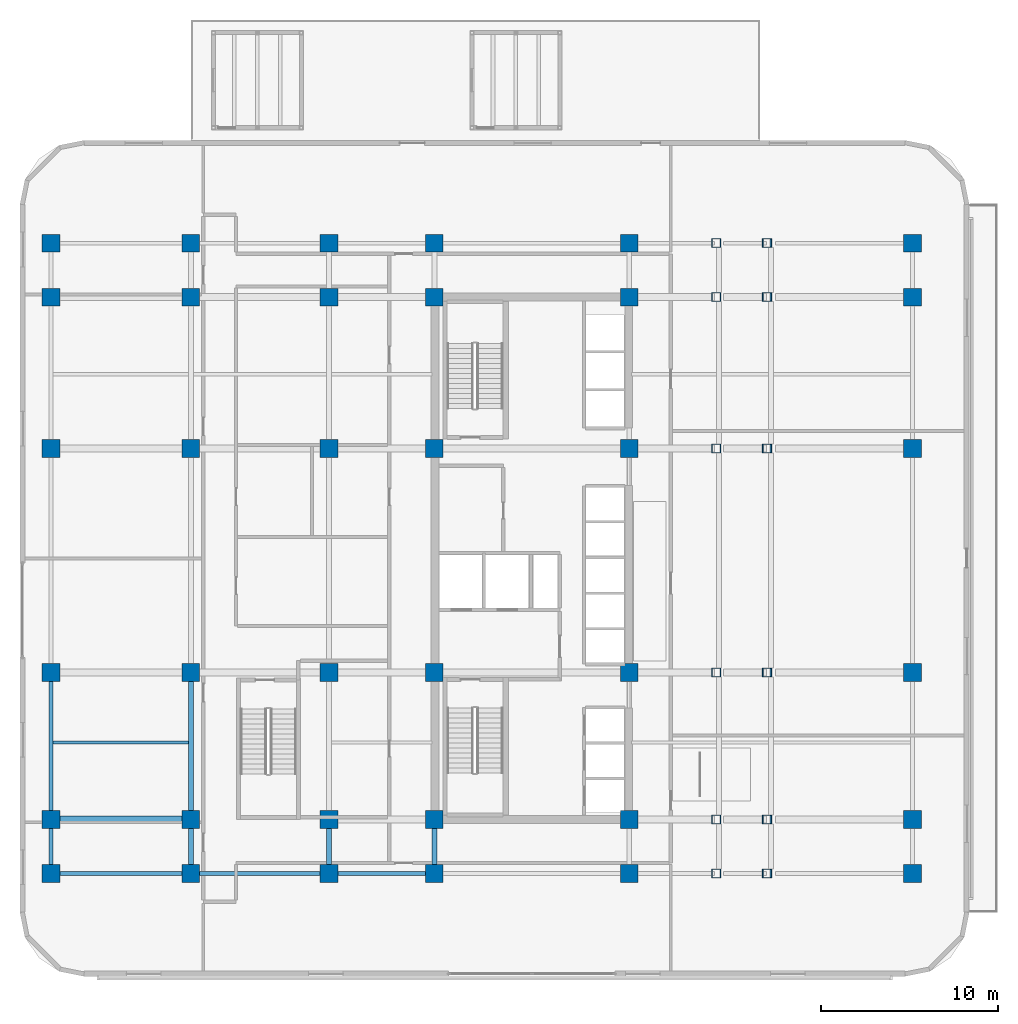
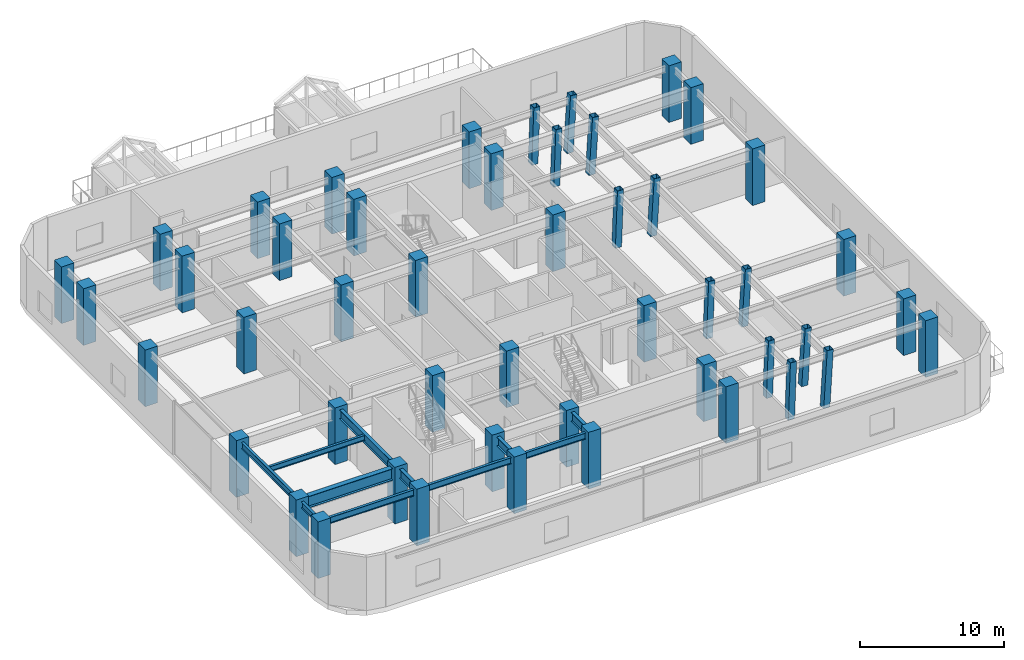
# One storey, part 1 of 18: 48 columns, 11 beams.
"""IFC4 building model written with IfcOpenShell, lengths in metres."""

from ifc_helpers import new_model, si_unit, direction, frame, origin, origin_2d, place, context, subcontext, project, spatial, rectangle, hollow_rectangle, i_section, extrude, material, material_profile, profile_set, type_object, element, save


model = new_model("IFC4")

# Units and contexts
model_context = context("Model", 3, precision=1e-05, world=origin(), true_north=direction((0.0, 1.0)))
body_context = subcontext(model_context, "Body", "Model", "MODEL_VIEW")
ifc_project = project(units=[si_unit("LENGTHUNIT", "METRE"), si_unit("AREAUNIT", "SQUARE_METRE"), si_unit("VOLUMEUNIT", "CUBIC_METRE"), si_unit("PLANEANGLEUNIT", "RADIAN"), si_unit("MASSUNIT", "GRAM", prefix="KILO")], contexts=[model_context])

# Site, building, storey
site_placement = place(None, origin())
site = spatial("IfcSite", under=ifc_project, at=site_placement, CompositionType="ELEMENT")
building_placement = place(site_placement, origin())
building = spatial("IfcBuilding", under=site, at=building_placement, Name="Ochreholt Gables", CompositionType="ELEMENT")
storey_placement = place(building_placement, frame((0.0, 0.0, 4.800048828125)))
storey = spatial("IfcBuildingStorey", under=building, at=storey_placement, Name="L01", CompositionType="ELEMENT", Elevation=4.800048828125)

# Columns
ifc_material_1 = material(Name="Steel CSA G40.21 350W", Category="steel")
ifc_material_profile_1 = material_profile(ifc_material_1, hollow_rectangle(XDim=0.5, YDim=0.5, WallThickness=0.02197265625, at=origin_2d()), Name="HSS500X500X22")
ifc_profile_set_1 = profile_set([ifc_material_profile_1], Name="Steel CSA G40.21 350W")
column_type_1 = type_object("IfcColumnType", Name="COL-HSS500-RAK", PredefinedType="COLUMN", material=ifc_profile_set_1)
for number, where, z_axis, x_axis, name in (
    (1, (40.10400390625, 9.25, 0.0), (0.034971728386, 0.0, 0.99938830202), (0.0, 1.0, 0.0), "L01 Column EMY2"),
    (2, (40.10400390625, 17.550048828125, 0.0), (0.034971728386, 0.0, 0.99938830202), (0.0, 1.0, 0.0), "L01 Column EMY3"),
    (3, (40.10400390625, 30.199951171875, 0.0), (0.034971728386, 0.0, 0.99938830202), (0.0, 1.0, 0.0), "L01 Column EMY4"),
    (4, (40.10400390625, 38.75, 0.0), (0.034971728386, 0.0, 0.99938830202), (0.0, 1.0, 0.0), "L01 Column EMY5"),
):
    element("IfcColumn", number, at=place(storey_placement, frame(where, z_axis=z_axis, x_axis=x_axis)), inside=storey, type_object=column_type_1, Name=name, PredefinedType="COLUMN", context=body_context, shape_type="SweptSolid", body=[
        extrude(hollow_rectangle(XDim=0.5, YDim=0.5, WallThickness=0.02197265625, at=origin_2d()), origin(), (0.0, 0.0, 1.0), 4.802978515625),
    ])
for number, where, z_axis, x_axis, name in (
    (5, (42.935302734375, 9.25, 0.0), (0.057885584411, 0.0, 0.998323223769), (0.0, 1.0, 0.0), "L01 Column EEY2"),
    (6, (42.935302734375, 17.550048828125, 0.0), (0.057885584411, 0.0, 0.998323223769), (0.0, 1.0, 0.0), "L01 Column EEY3"),
    (7, (42.935302734375, 30.199951171875, 0.0), (0.057885584411, 0.0, 0.998323223769), (0.0, 1.0, 0.0), "L01 Column EEY4"),
    (8, (42.935302734375, 38.75, 0.0), (0.057885584411, 0.0, 0.998323223769), (0.0, 1.0, 0.0), "L01 Column EEY5"),
):
    element("IfcColumn", number, at=place(storey_placement, frame(where, z_axis=z_axis, x_axis=x_axis)), inside=storey, type_object=column_type_1, Name=name, PredefinedType="COLUMN", context=body_context, shape_type="SweptSolid", body=[
        extrude(hollow_rectangle(XDim=0.5, YDim=0.5, WallThickness=0.02197265625, at=origin_2d()), origin(), (0.0, 0.0, 1.0), 4.80810546875),
    ])
ifc_material_profile_2 = material_profile(ifc_material_1, hollow_rectangle(XDim=0.5, YDim=0.5, WallThickness=0.02197265625, at=origin_2d()), Name="HSS500X500X22")
ifc_profile_set_2 = profile_set([ifc_material_profile_2], Name="Steel CSA G40.21 350W")
column_type_2 = type_object("IfcColumnType", Name="COL-HSS500-RAKE", PredefinedType="COLUMN", material=ifc_profile_set_2)
for number, where, z_axis, x_axis, name in (
    (9, (40.10400390625, 6.199951171875, 0.0), (0.034971728386, 0.0, 0.99938830202), (0.0, 1.0, 0.0), "L01 Column EMY1"),
    (10, (40.10400390625, 41.800048828125, 0.0), (0.034971728386, 0.0, 0.99938830202), (0.0, 1.0, 0.0), "L01 Column EMY6"),
):
    element("IfcColumn", number, at=place(storey_placement, frame(where, z_axis=z_axis, x_axis=x_axis)), inside=storey, type_object=column_type_2, Name=name, PredefinedType="COLUMN", context=body_context, shape_type="SweptSolid", body=[
        extrude(hollow_rectangle(XDim=0.5, YDim=0.5, WallThickness=0.02197265625, at=origin_2d()), origin(), (0.0, 0.0, 1.0), 4.802978515625),
    ])
for number, where, z_axis, x_axis, name in (
    (11, (42.935302734375, 6.199951171875, 0.0), (0.057885584411, 0.0, 0.998323223769), (0.0, 1.0, 0.0), "L01 Column EEY1"),
    (12, (42.935302734375, 41.800048828125, 0.0), (0.057885584411, 0.0, 0.998323223769), (0.0, 1.0, 0.0), "L01 Column EEY6"),
):
    element("IfcColumn", number, at=place(storey_placement, frame(where, z_axis=z_axis, x_axis=x_axis)), inside=storey, type_object=column_type_2, Name=name, PredefinedType="COLUMN", context=body_context, shape_type="SweptSolid", body=[
        extrude(hollow_rectangle(XDim=0.5, YDim=0.5, WallThickness=0.02197265625, at=origin_2d()), origin(), (0.0, 0.0, 1.0), 4.80810546875),
    ])
ifc_material_2 = material(Name="Concrete 60 MPa", Category="concrete")
ifc_material_profile_3 = material_profile(ifc_material_2, rectangle(XDim=1.0, YDim=1.0, at=origin_2d()), Name="RC1000X1000")
ifc_profile_set_3 = profile_set([ifc_material_profile_3], Name="Concrete 60 MPa")
column_type_3 = type_object("IfcColumnType", Name="COL-RC1000-EXT", PredefinedType="COLUMN", material=ifc_profile_set_3)
for number, where, z_axis, x_axis, name in (
    (13, (2.550048828125, 6.199951171875, 0.0), (0.0, 0.0, 1.0), (1.0, 0.0, 0.0), "L01 Column W1Y1"),
    (14, (2.550048828125, 9.25, 0.0), (0.0, 0.0, 1.0), (1.0, 0.0, 0.0), "L01 Column W1Y2"),
    (15, (2.550048828125, 17.550048828125, 0.0), (0.0, 0.0, 1.0), (1.0, 0.0, 0.0), "L01 Column W1Y3"),
    (16, (2.550048828125, 30.199951171875, 0.0), (0.0, 0.0, 1.0), (1.0, 0.0, 0.0), "L01 Column W1Y4"),
    (17, (2.550048828125, 38.75, 0.0), (0.0, 0.0, 1.0), (1.0, 0.0, 0.0), "L01 Column W1Y5"),
    (18, (2.550048828125, 41.800048828125, 0.0), (0.0, 0.0, 1.0), (1.0, 0.0, 0.0), "L01 Column W1Y6"),
    (19, (10.449951171875, 6.199951171875, 0.0), (0.0, 0.0, 1.0), (1.0, 0.0, 0.0), "L01 Column W2Y1"),
    (20, (10.449951171875, 41.800048828125, 0.0), (0.0, 0.0, 1.0), (1.0, 0.0, 0.0), "L01 Column W2Y6"),
    (21, (18.25, 6.199951171875, 0.0), (0.0, 0.0, 1.0), (1.0, 0.0, 0.0), "L01 Column W3Y1"),
    (22, (18.25, 41.800048828125, 0.0), (0.0, 0.0, 1.0), (1.0, 0.0, 0.0), "L01 Column W3Y6"),
    (23, (24.199951171875, 6.199951171875, 0.0), (0.0, 0.0, 1.0), (1.0, 0.0, 0.0), "L01 Column C1Y1"),
    (24, (24.199951171875, 41.800048828125, 0.0), (0.0, 0.0, 1.0), (1.0, 0.0, 0.0), "L01 Column C1Y6"),
    (25, (35.199951171875, 6.199951171875, 0.0), (0.0, 0.0, 1.0), (1.0, 0.0, 0.0), "L01 Column C2Y1"),
    (26, (35.199951171875, 41.800048828125, 0.0), (0.0, 0.0, 1.0), (1.0, 0.0, 0.0), "L01 Column C2Y6"),
    (27, (51.199951171875, 6.199951171875, 0.0), (0.0, 0.0, 1.0), (1.0, 0.0, 0.0), "L01 Column E3Y1"),
    (28, (51.199951171875, 9.25, 0.0), (0.0, 0.0, 1.0), (1.0, 0.0, 0.0), "L01 Column E3Y2"),
    (29, (51.199951171875, 17.550048828125, 0.0), (0.0, 0.0, 1.0), (1.0, 0.0, 0.0), "L01 Column E3Y3"),
    (30, (51.199951171875, 30.199951171875, 0.0), (0.0, 0.0, 1.0), (1.0, 0.0, 0.0), "L01 Column E3Y4"),
    (31, (51.199951171875, 38.75, 0.0), (0.0, 0.0, 1.0), (1.0, 0.0, 0.0), "L01 Column E3Y5"),
    (32, (51.199951171875, 41.800048828125, 0.0), (0.0, 0.0, 1.0), (1.0, 0.0, 0.0), "L01 Column E3Y6"),
):
    element("IfcColumn", number, at=place(storey_placement, frame(where, z_axis=z_axis, x_axis=x_axis)), inside=storey, type_object=column_type_3, Name=name, PredefinedType="COLUMN", context=body_context, shape_type="SweptSolid", body=[
        extrude(rectangle(XDim=1.0, YDim=1.0, at=origin_2d()), origin(), (0.0, 0.0, 1.0), 4.800048828125),
    ])
ifc_material_profile_4 = material_profile(ifc_material_2, rectangle(XDim=1.0, YDim=1.0, at=origin_2d()), Name="RC1000X1000")
ifc_profile_set_4 = profile_set([ifc_material_profile_4], Name="Concrete 60 MPa")
column_type_4 = type_object("IfcColumnType", Name="COL-RC1000-INT", PredefinedType="COLUMN", material=ifc_profile_set_4)
for number, where, z_axis, x_axis, name in (
    (33, (10.449951171875, 9.25, 0.0), (0.0, 0.0, 1.0), (1.0, 0.0, 0.0), "L01 Column W2Y2"),
    (34, (10.449951171875, 17.550048828125, 0.0), (0.0, 0.0, 1.0), (1.0, 0.0, 0.0), "L01 Column W2Y3"),
    (35, (10.449951171875, 30.199951171875, 0.0), (0.0, 0.0, 1.0), (1.0, 0.0, 0.0), "L01 Column W2Y4"),
    (36, (10.449951171875, 38.75, 0.0), (0.0, 0.0, 1.0), (1.0, 0.0, 0.0), "L01 Column W2Y5"),
    (37, (18.25, 9.25, 0.0), (0.0, 0.0, 1.0), (1.0, 0.0, 0.0), "L01 Column W3Y2"),
    (38, (18.25, 17.550048828125, 0.0), (0.0, 0.0, 1.0), (1.0, 0.0, 0.0), "L01 Column W3Y3"),
    (39, (18.25, 30.199951171875, 0.0), (0.0, 0.0, 1.0), (1.0, 0.0, 0.0), "L01 Column W3Y4"),
    (40, (18.25, 38.75, 0.0), (0.0, 0.0, 1.0), (1.0, 0.0, 0.0), "L01 Column W3Y5"),
    (41, (24.199951171875, 9.25, 0.0), (0.0, 0.0, 1.0), (1.0, 0.0, 0.0), "L01 Column C1Y2"),
    (42, (24.199951171875, 17.550048828125, 0.0), (0.0, 0.0, 1.0), (1.0, 0.0, 0.0), "L01 Column C1Y3"),
    (43, (24.199951171875, 30.199951171875, 0.0), (0.0, 0.0, 1.0), (1.0, 0.0, 0.0), "L01 Column C1Y4"),
    (44, (24.199951171875, 38.75, 0.0), (0.0, 0.0, 1.0), (1.0, 0.0, 0.0), "L01 Column C1Y5"),
    (45, (35.199951171875, 9.25, 0.0), (0.0, 0.0, 1.0), (1.0, 0.0, 0.0), "L01 Column C2Y2"),
    (46, (35.199951171875, 17.550048828125, 0.0), (0.0, 0.0, 1.0), (1.0, 0.0, 0.0), "L01 Column C2Y3"),
    (47, (35.199951171875, 30.199951171875, 0.0), (0.0, 0.0, 1.0), (1.0, 0.0, 0.0), "L01 Column C2Y4"),
    (48, (35.199951171875, 38.75, 0.0), (0.0, 0.0, 1.0), (1.0, 0.0, 0.0), "L01 Column C2Y5"),
):
    element("IfcColumn", number, at=place(storey_placement, frame(where, z_axis=z_axis, x_axis=x_axis)), inside=storey, type_object=column_type_4, Name=name, PredefinedType="COLUMN", context=body_context, shape_type="SweptSolid", body=[
        extrude(rectangle(XDim=1.0, YDim=1.0, at=origin_2d()), origin(), (0.0, 0.0, 1.0), 4.800048828125),
    ])

# Beams
ifc_material_profile_5 = material_profile(ifc_material_1, i_section(OverallWidth=0.39990234375, OverallDepth=1.0, WebThickness=0.0166015625, FlangeThickness=0.031005859375, at=origin_2d()), Name="W1000X321")
ifc_profile_set_5 = profile_set([ifc_material_profile_5], Name="Steel CSA G40.21 350W")
beam_type_1 = type_object("IfcBeamType", Name="BM-G-W1000", PredefinedType="BEAM", material=ifc_profile_set_5)
beam_1_placement = place(storey_placement, frame((3.049560546875, 9.25, 4.02001953125), z_axis=(1.0, 0.0, 0.0), x_axis=(0.0, 1.0, 0.0)))
element("IfcBeam", 49, at=beam_1_placement, inside=storey, type_object=beam_type_1, Name="L01 Beam BG-L01-W1W2-Y2", PredefinedType="BEAM", context=body_context, shape_type="SweptSolid", body=[
    extrude(i_section(OverallWidth=0.39990234375, OverallDepth=1.0, WebThickness=0.0166015625, FlangeThickness=0.031005859375, at=origin_2d()), origin(), (0.0, 0.0, 1.0), 6.90087890625),
])
ifc_material_profile_6 = material_profile(ifc_material_1, i_section(OverallWidth=0.26806640625, OverallDepth=0.77001953125, WebThickness=0.015625, FlangeThickness=0.025390625, at=origin_2d()), Name="W760X196")
ifc_profile_set_6 = profile_set([ifc_material_profile_6], Name="Steel CSA G40.21 350W")
beam_type_2 = type_object("IfcBeamType", Name="BM-G-W760", PredefinedType="BEAM", material=ifc_profile_set_6)
beam_2_placement = place(storey_placement, frame((10.449951171875, 6.69970703125, 4.135009765625), z_axis=(0.0, 1.0, 0.0), x_axis=(-1.0, 0.0, 0.0)))
element("IfcBeam", 50, at=beam_2_placement, inside=storey, type_object=beam_type_2, Name="L01 Beam BG-L01-W2-Y1Y2", PredefinedType="BEAM", context=body_context, shape_type="SweptSolid", body=[
    extrude(i_section(OverallWidth=0.26806640625, OverallDepth=0.77001953125, WebThickness=0.015625, FlangeThickness=0.025390625, at=origin_2d()), origin(), (0.0, 0.0, 1.0), 2.05078125),
])
beam_3_placement = place(storey_placement, frame((10.449951171875, 9.74951171875, 4.135009765625), z_axis=(0.0, 1.0, 0.0), x_axis=(-1.0, 0.0, 0.0)))
element("IfcBeam", 51, at=beam_3_placement, inside=storey, type_object=beam_type_2, Name="L01 Beam BG-L01-W2-Y2Y3", PredefinedType="BEAM", context=body_context, shape_type="SweptSolid", body=[
    extrude(i_section(OverallWidth=0.26806640625, OverallDepth=0.77001953125, WebThickness=0.015625, FlangeThickness=0.025390625, at=origin_2d()), origin(), (0.0, 0.0, 1.0), 7.30078125),
])
for number, where, z_axis, x_axis, name in (
    (52, (18.25, 6.69970703125, 4.135009765625), (0.0, 1.0, 0.0), (-1.0, 0.0, 0.0), "L01 Beam BG-L01-W3-Y1Y2"),
    (53, (24.199951171875, 6.69970703125, 4.135009765625), (0.0, 1.0, 0.0), (-1.0, 0.0, 0.0), "L01 Beam BG-L01-C1-Y1Y2"),
):
    element("IfcBeam", number, at=place(storey_placement, frame(where, z_axis=z_axis, x_axis=x_axis)), inside=storey, type_object=beam_type_2, Name=name, PredefinedType="BEAM", context=body_context, shape_type="SweptSolid", body=[
        extrude(i_section(OverallWidth=0.26806640625, OverallDepth=0.77001953125, WebThickness=0.015625, FlangeThickness=0.025390625, at=origin_2d()), origin(), (0.0, 0.0, 1.0), 2.05078125),
    ])
ifc_material_profile_7 = material_profile(ifc_material_1, i_section(OverallWidth=0.18994140625, OverallDepth=0.45703125, WebThickness=0.009033203125, FlangeThickness=0.014404296875, at=origin_2d()), Name="W460X74")
ifc_profile_set_7 = profile_set([ifc_material_profile_7], Name="Steel CSA G40.21 350W")
beam_type_3 = type_object("IfcBeamType", Name="BM-J-W460B", PredefinedType="JOIST", material=ifc_profile_set_7)
beam_4_placement = place(storey_placement, frame((2.654052734375, 13.60009765625, 4.29150390625), z_axis=(1.0, 0.0, 0.0), x_axis=(0.0, 1.0, 0.0)))
element("IfcBeam", 54, at=beam_4_placement, inside=storey, type_object=beam_type_3, Name="L01 Beam BJ-L01-J1-W1W2", PredefinedType="JOIST", context=body_context, shape_type="SweptSolid", body=[
    extrude(i_section(OverallWidth=0.18994140625, OverallDepth=0.45703125, WebThickness=0.009033203125, FlangeThickness=0.014404296875, at=origin_2d()), origin(), (0.0, 0.0, 1.0), 7.662353515625),
])
ifc_material_profile_8 = material_profile(ifc_material_1, i_section(OverallWidth=0.208984375, OverallDepth=0.532958984375, WebThickness=0.01025390625, FlangeThickness=0.015625, at=origin_2d()), Name="W530X92")
ifc_profile_set_8 = profile_set([ifc_material_profile_8], Name="Steel CSA G40.21 350W")
beam_type_4 = type_object("IfcBeamType", Name="BM-SP-W530B", PredefinedType="SPANDREL", material=ifc_profile_set_8)
beam_5_placement = place(storey_placement, frame((3.049560546875, 6.199951171875, 4.25341796875), z_axis=(1.0, 0.0, 0.0), x_axis=(0.0, 1.0, 0.0)))
element("IfcBeam", 55, at=beam_5_placement, inside=storey, type_object=beam_type_4, Name="L01 Beam BG-L01-W1W2-Y1", PredefinedType="SPANDREL", context=body_context, shape_type="SweptSolid", body=[
    extrude(i_section(OverallWidth=0.208984375, OverallDepth=0.532958984375, WebThickness=0.01025390625, FlangeThickness=0.015625, at=origin_2d()), origin(), (0.0, 0.0, 1.0), 6.90087890625),
])
beam_6_placement = place(storey_placement, frame((10.94970703125, 6.199951171875, 4.25341796875), z_axis=(1.0, 0.0, 0.0), x_axis=(0.0, 1.0, 0.0)))
element("IfcBeam", 56, at=beam_6_placement, inside=storey, type_object=beam_type_4, Name="L01 Beam BG-L01-W2W3-Y1", PredefinedType="SPANDREL", context=body_context, shape_type="SweptSolid", body=[
    extrude(i_section(OverallWidth=0.208984375, OverallDepth=0.532958984375, WebThickness=0.01025390625, FlangeThickness=0.015625, at=origin_2d()), origin(), (0.0, 0.0, 1.0), 6.80078125),
])
beam_7_placement = place(storey_placement, frame((18.74951171875, 6.199951171875, 4.25341796875), z_axis=(1.0, 0.0, 0.0), x_axis=(0.0, 1.0, 0.0)))
element("IfcBeam", 57, at=beam_7_placement, inside=storey, type_object=beam_type_4, Name="L01 Beam BG-L01-W3C1-Y1", PredefinedType="SPANDREL", context=body_context, shape_type="SweptSolid", body=[
    extrude(i_section(OverallWidth=0.208984375, OverallDepth=0.532958984375, WebThickness=0.01025390625, FlangeThickness=0.015625, at=origin_2d()), origin(), (0.0, 0.0, 1.0), 4.950927734375),
])
beam_8_placement = place(storey_placement, frame((2.550048828125, 6.69970703125, 4.25341796875), z_axis=(0.0, 1.0, 0.0), x_axis=(-1.0, 0.0, 0.0)))
element("IfcBeam", 58, at=beam_8_placement, inside=storey, type_object=beam_type_4, Name="L01 Beam BG-L01-W1-Y1Y2", PredefinedType="SPANDREL", context=body_context, shape_type="SweptSolid", body=[
    extrude(i_section(OverallWidth=0.208984375, OverallDepth=0.532958984375, WebThickness=0.01025390625, FlangeThickness=0.015625, at=origin_2d()), origin(), (0.0, 0.0, 1.0), 2.05078125),
])
beam_9_placement = place(storey_placement, frame((2.550048828125, 9.74951171875, 4.25341796875), z_axis=(0.0, 1.0, 0.0), x_axis=(-1.0, 0.0, 0.0)))
element("IfcBeam", 59, at=beam_9_placement, inside=storey, type_object=beam_type_4, Name="L01 Beam BG-L01-W1-Y2Y3", PredefinedType="SPANDREL", context=body_context, shape_type="SweptSolid", body=[
    extrude(i_section(OverallWidth=0.208984375, OverallDepth=0.532958984375, WebThickness=0.01025390625, FlangeThickness=0.015625, at=origin_2d()), origin(), (0.0, 0.0, 1.0), 7.30078125),
])

save(model, "model.ifc")
